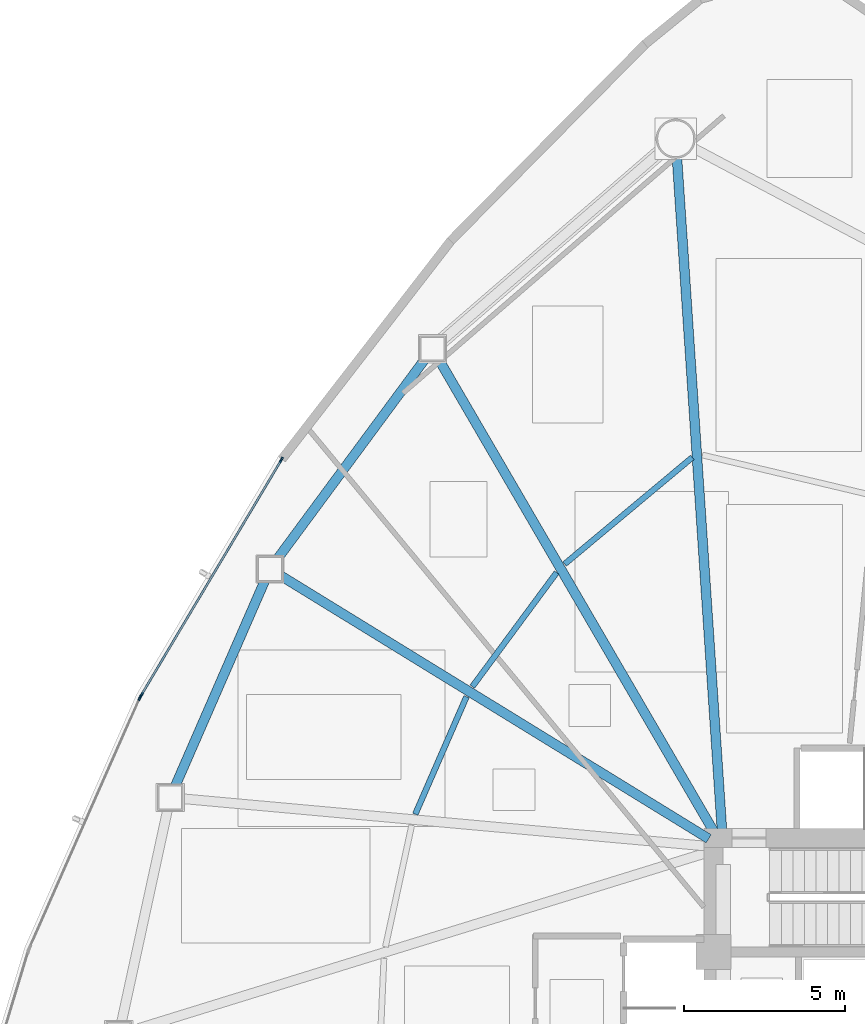
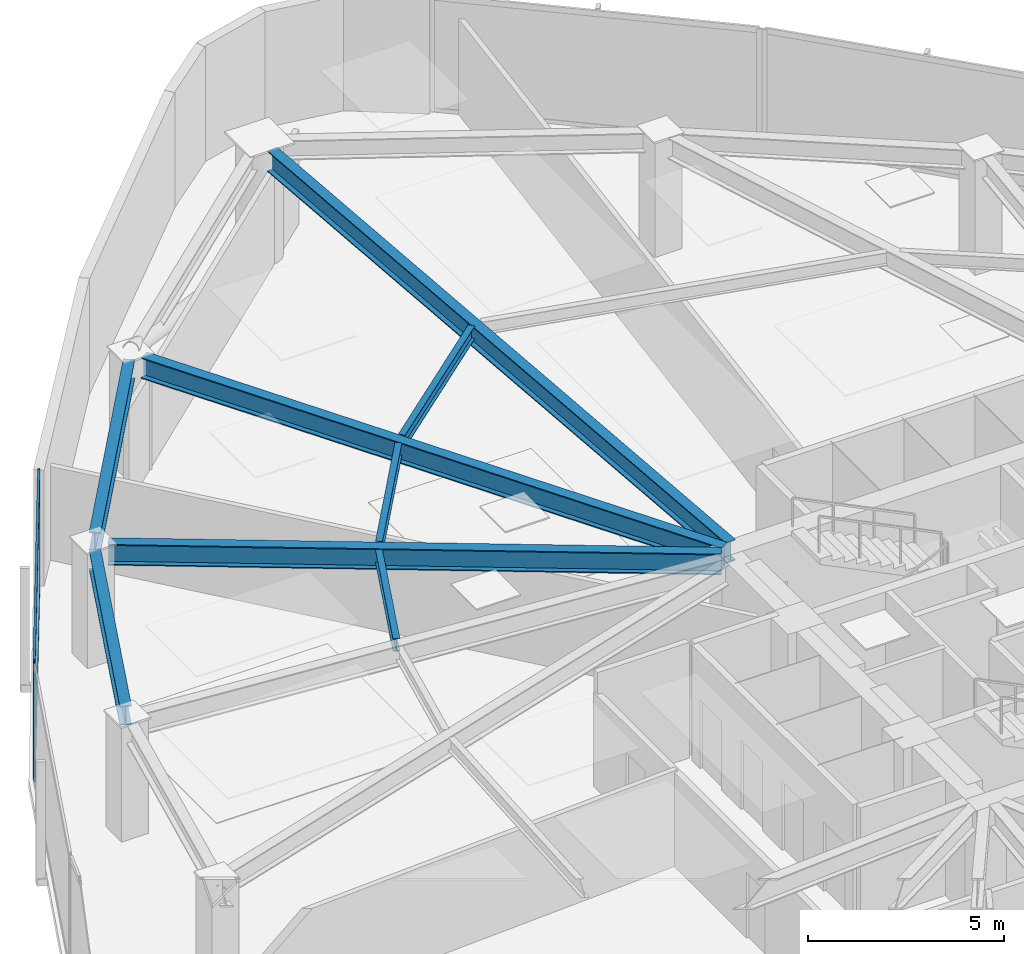
# One storey, part 7 of 16: 8 beams, 5 members, 2 elements without a shape of their own.
"""IFC4 building model written with IfcOpenShell, lengths in metres."""

from ifc_helpers import new_model, si_unit, direction, frame, origin, origin_2d, place, context, subcontext, project, spatial, hollow_rectangle, i_section, extrude, source, transform, mapped, material, layer, layer_set, material_profile, profile_set, type_object, type_shapes, element, aggregate, save


model = new_model("IFC4")

# Units and contexts
model_context = context("Model", 3, precision=1e-05, world=origin(), true_north=direction((0.0, 1.0)))
body_context = subcontext(model_context, "Body", "Model", "MODEL_VIEW")
ifc_project = project(units=[si_unit("LENGTHUNIT", "METRE"), si_unit("AREAUNIT", "SQUARE_METRE"), si_unit("VOLUMEUNIT", "CUBIC_METRE"), si_unit("PLANEANGLEUNIT", "RADIAN"), si_unit("MASSUNIT", "GRAM", prefix="KILO")], contexts=[model_context])

# Site, building, storey
site_placement = place(None, origin())
site = spatial("IfcSite", under=ifc_project, at=site_placement, CompositionType="ELEMENT")
building_placement = place(site_placement, origin())
building = spatial("IfcBuilding", under=site, at=building_placement, Name="Tavelor Broadcast Tower", CompositionType="ELEMENT")
storey_placement = place(building_placement, frame((0.0, 0.0, 35.39990234375)))
storey = spatial("IfcBuildingStorey", under=building, at=storey_placement, Name="L07", CompositionType="ELEMENT", Elevation=35.39990234375)

# Beams
ifc_material_1 = material(Name="Steel S355", Category="steel")
ifc_material_profile_1 = material_profile(ifc_material_1, i_section(OverallWidth=0.179931640625, OverallDepth=0.39990234375, WebThickness=0.008544921875, FlangeThickness=0.013427734375, at=origin_2d()), Name="IPE 400")
ifc_profile_set_1 = profile_set([ifc_material_profile_1], Name="Steel S355")
beam_type_1 = type_object("IfcBeamType", Name="Composite Floor Joist T1 IPE 400", PredefinedType="JOIST", material=ifc_profile_set_1)
beam_1_placement = place(storey_placement, frame((42.4404296875, 63.345947265625, 3.400146484375), z_axis=(-0.767560074089, -0.640977014146, 0.0), x_axis=(0.640977014146, -0.767560074089, 0.0)))
element("IfcBeam", 1, at=beam_1_placement, inside=storey, type_object=beam_type_1, Name="L07 Secondary Composite Floor Joist 01", PredefinedType="JOIST", context=body_context, shape_type="SweptSolid", body=[
    extrude(i_section(OverallWidth=0.179931640625, OverallDepth=0.39990234375, WebThickness=0.008544921875, FlangeThickness=0.013427734375, at=origin_2d()), origin(), (0.0, 0.0, 1.0), 5.178466796875),
])
beam_2_placement = place(storey_placement, frame((38.218994140625, 59.764892578125, 3.400146484375), z_axis=(-0.594310286319, -0.804235838281, 0.0), x_axis=(0.804235838281, -0.594310286319, 0.0)))
element("IfcBeam", 2, at=beam_2_placement, inside=storey, type_object=beam_type_1, Name="L07 Secondary Composite Floor Joist 02", PredefinedType="JOIST", context=body_context, shape_type="SweptSolid", body=[
    extrude(i_section(OverallWidth=0.179931640625, OverallDepth=0.39990234375, WebThickness=0.008544921875, FlangeThickness=0.013427734375, at=origin_2d()), origin(), (0.0, 0.0, 1.0), 4.41943359375),
])
beam_3_placement = place(storey_placement, frame((35.41259765625, 55.899169921875, 3.400146484375), z_axis=(-0.399676346619, -0.916656324886, 0.0), x_axis=(0.916656324886, -0.399676346619, 0.0)))
element("IfcBeam", 3, at=beam_3_placement, inside=storey, type_object=beam_type_1, Name="L07 Secondary Composite Floor Joist 03", PredefinedType="JOIST", context=body_context, shape_type="SweptSolid", body=[
    extrude(i_section(OverallWidth=0.179931640625, OverallDepth=0.39990234375, WebThickness=0.008544921875, FlangeThickness=0.013427734375, at=origin_2d()), origin(), (0.0, 0.0, 1.0), 3.991943359375),
])
ifc_material_profile_2 = material_profile(ifc_material_1, i_section(OverallWidth=0.300048828125, OverallDepth=0.60009765625, WebThickness=0.015380859375, FlangeThickness=0.030029296875, at=origin_2d()), Name="HEB 600")
ifc_profile_set_2 = profile_set([ifc_material_profile_2], Name="Steel S355")
beam_type_2 = type_object("IfcBeamType", Name="Perimeter Spandrel Beam T1 HEB 600", PredefinedType="SPANDREL", material=ifc_profile_set_2)
beam_4_placement = place(storey_placement, frame((34.1279296875, 66.4189453125, 3.300048828125), z_axis=(-0.59410601814, -0.804386747286, 0.0), x_axis=(0.804386747286, -0.59410601814, 0.0)))
element("IfcBeam", 4, at=beam_4_placement, inside=storey, type_object=beam_type_2, Name="L07 Framed-Tube Ring Spandrel 02", PredefinedType="SPANDREL", context=body_context, shape_type="SweptSolid", body=[
    extrude(i_section(OverallWidth=0.300048828125, OverallDepth=0.60009765625, WebThickness=0.015380859375, FlangeThickness=0.030029296875, at=origin_2d()), origin(), (0.0, 0.0, 1.0), 7.755615234375),
])
beam_5_placement = place(storey_placement, frame((29.138671875, 59.51953125, 3.300048828125), z_axis=(-0.399831402863, -0.916588702355, 0.0), x_axis=(0.916588702355, -0.399831402863, 0.0)))
element("IfcBeam", 5, at=beam_5_placement, inside=storey, type_object=beam_type_2, Name="L07 Framed-Tube Ring Spandrel 03", PredefinedType="SPANDREL", context=body_context, shape_type="SweptSolid", body=[
    extrude(i_section(OverallWidth=0.300048828125, OverallDepth=0.60009765625, WebThickness=0.015380859375, FlangeThickness=0.030029296875, at=origin_2d()), origin(), (0.0, 0.0, 1.0), 6.99267578125),
])
ifc_material_profile_3 = material_profile(ifc_material_1, i_section(OverallWidth=0.300048828125, OverallDepth=0.64990234375, WebThickness=0.01611328125, FlangeThickness=0.031005859375, at=origin_2d()), Name="HEB 650")
ifc_profile_set_3 = profile_set([ifc_material_profile_3], Name="Steel S355")
beam_type_3 = type_object("IfcBeamType", Name="Radial Floor Girder T1 HEB 650", PredefinedType="BEAM", material=ifc_profile_set_3)
beam_6_placement = place(storey_placement, frame((43.36474609375, 51.726806640625, 3.275146484375), z_axis=(-0.066781325407, 0.997767635563, 0.0), x_axis=(-0.997767635563, -0.066781325407, 0.0)))
element("IfcBeam", 6, at=beam_6_placement, inside=storey, type_object=beam_type_3, Name="L07 Radial Primary Floor Girder 01", PredefinedType="BEAM", context=body_context, shape_type="SweptSolid", body=[
    extrude(i_section(OverallWidth=0.300048828125, OverallDepth=0.64990234375, WebThickness=0.01611328125, FlangeThickness=0.031005859375, at=origin_2d()), origin(), (0.0, 0.0, 1.0), 21.002685546875),
])
beam_7_placement = place(storey_placement, frame((43.13427734375, 51.65625, 3.275146484375), z_axis=(-0.503292471027, 0.864116131436, 0.0), x_axis=(-0.864116131436, -0.503292471027, 0.0)))
element("IfcBeam", 7, at=beam_7_placement, inside=storey, type_object=beam_type_3, Name="L07 Radial Primary Floor Girder 02", PredefinedType="BEAM", context=body_context, shape_type="SweptSolid", body=[
    extrude(i_section(OverallWidth=0.300048828125, OverallDepth=0.64990234375, WebThickness=0.01611328125, FlangeThickness=0.031005859375, at=origin_2d()), origin(), (0.0, 0.0, 1.0), 17.0576171875),
])
beam_8_placement = place(storey_placement, frame((42.9501953125, 51.4765625, 3.275146484375), z_axis=(-0.851935691671, 0.523646423894, 0.0), x_axis=(-0.523646423894, -0.851935691671, 0.0)))
element("IfcBeam", 8, at=beam_8_placement, inside=storey, type_object=beam_type_3, Name="L07 Radial Primary Floor Girder 03", PredefinedType="BEAM", context=body_context, shape_type="SweptSolid", body=[
    extrude(i_section(OverallWidth=0.300048828125, OverallDepth=0.64990234375, WebThickness=0.01611328125, FlangeThickness=0.031005859375, at=origin_2d()), origin(), (0.0, 0.0, 1.0), 15.647705078125),
])

# Curtain wall, members
ifc_material_2 = material(Name="Architectural Anodized Aluminium", Category="aluminium")
ifc_layer = layer(ifc_material_2, 0.179931640625)
ifc_layer_set = layer_set([ifc_layer], Name="Architectural Anodized Aluminium")
curtain_wall_type = type_object("IfcCurtainWallType", Name="Tower Low-Zone Unitised Curtain Wall CW02", PredefinedType="NOTDEFINED", material=ifc_layer_set)
curtain_wall_1_placement = place(storey_placement, origin())
curtain_wall_1 = element("IfcCurtainWall", 9, at=curtain_wall_1_placement, inside=storey, type_object=curtain_wall_type, Name="L07 Curtain Wall CW02 Run 37", PredefinedType="NOTDEFINED")
ifc_material_profile_4 = material_profile(ifc_material_2, hollow_rectangle(XDim=0.06494140625, YDim=0.179931640625, WallThickness=0.02197265625, at=origin_2d()), Name="RHS 65x180x22")
ifc_profile_set_4 = profile_set([ifc_material_profile_4], Name="Architectural Anodized Aluminium")
member_type_1 = type_object("IfcMemberType", Name="CW02 Extruded Aluminium Mullion 65x180", PredefinedType="MULLION", material=ifc_profile_set_4)
shared_shape_1 = source(origin(), body_context, "Body", "SweptSolid", [
    extrude(hollow_rectangle(XDim=0.06494140625, YDim=0.179931640625, WallThickness=0.02197265625, at=origin_2d()), origin(), (0.0, 0.0, 1.0), 3.60009765625),
])
type_shapes(member_type_1, [shared_shape_1])
member_1_placement = place(storey_placement, frame((29.650146484375, 63.270263671875, 0.0), z_axis=(0.0, 0.0, 1.0), x_axis=(0.859181833829, -0.51167037868, 0.0)))
member_1 = element("IfcMember", 10, at=member_1_placement, type_object=member_type_1, Name="CW02 mullion 1", PredefinedType="MULLION", context=body_context, shape_type="MappedRepresentation", body=[
    mapped(shared_shape_1, transform((0.0, 0.0, 0.0), scale=1.0)),
])
member_2_placement = place(storey_placement, frame((25.2900390625, 55.948974609375, 0.0), z_axis=(0.0, 0.0, 1.0), x_axis=(0.859181833829, -0.51167037868, 0.0)))
member_2 = element("IfcMember", 11, at=member_2_placement, type_object=member_type_1, Name="CW02 mullion 2", PredefinedType="MULLION", context=body_context, shape_type="MappedRepresentation", body=[
    mapped(shared_shape_1, transform((0.0, 0.0, 0.0), scale=1.0)),
])

# Curtain wall, member
curtain_wall_2_placement = place(storey_placement, origin())
curtain_wall_2 = element("IfcCurtainWall", 12, at=curtain_wall_2_placement, inside=storey, type_object=curtain_wall_type, Name="L07 Curtain Wall CW02 Run 38", PredefinedType="NOTDEFINED")
member_3_placement = place(storey_placement, frame((25.24658203125, 55.86474609375, 0.0), z_axis=(0.0, 0.0, 1.0), x_axis=(0.914783170915, -0.403945231697, 0.0)))
member_3 = element("IfcMember", 13, at=member_3_placement, type_object=member_type_1, Name="CW02 mullion 1", PredefinedType="MULLION", context=body_context, shape_type="MappedRepresentation", body=[
    mapped(shared_shape_1, transform((0.0, 0.0, 0.0), scale=1.0)),
])
aggregate(curtain_wall_2, [member_3])

# Member
ifc_material_profile_5 = material_profile(ifc_material_2, hollow_rectangle(XDim=0.06494140625, YDim=0.179931640625, WallThickness=0.02197265625, at=origin_2d()), Name="RHS 65x180x22")
ifc_profile_set_5 = profile_set([ifc_material_profile_5], Name="Architectural Anodized Aluminium")
member_type_2 = type_object("IfcMemberType", Name="CW02 Extruded Aluminium Transom 65x180", PredefinedType="USERDEFINED", material=ifc_profile_set_5)
shared_shape_2 = source(origin(), body_context, "Body", "SweptSolid", [
    extrude(hollow_rectangle(XDim=0.06494140625, YDim=0.179931640625, WallThickness=0.02197265625, at=origin_2d()), origin(), (0.0, 0.0, 1.0), 8.456298828125),
])
type_shapes(member_type_2, [shared_shape_2])
member_4_placement = place(storey_placement, frame((29.633544921875, 63.242431640625, 0.03271484375), z_axis=(-0.511682306159, -0.85917473052, 0.0), x_axis=(0.85917473052, -0.511682306159, 0.0)))
member_4 = element("IfcMember", 14, at=member_4_placement, type_object=member_type_2, Name="CW02 transom 1.1", ObjectType="TRANSOM", PredefinedType="USERDEFINED", context=body_context, shape_type="MappedRepresentation", body=[
    mapped(shared_shape_2, transform((0.0, 0.0, 0.0), scale=1.0)),
])

member_5_placement = place(storey_placement, frame((29.633544921875, 63.242431640625, 3.567626953125), z_axis=(-0.511682306159, -0.85917473052, 0.0), x_axis=(0.85917473052, -0.511682306159, 0.0)))
member_5 = element("IfcMember", 15, at=member_5_placement, type_object=member_type_2, Name="CW02 transom 1.2", ObjectType="TRANSOM", PredefinedType="USERDEFINED", context=body_context, shape_type="MappedRepresentation", body=[
    mapped(shared_shape_2, transform((0.0, 0.0, 0.0), scale=1.0)),
])

aggregate(curtain_wall_1, [member_1, member_2, member_4, member_5])

save(model, "model.ifc")
